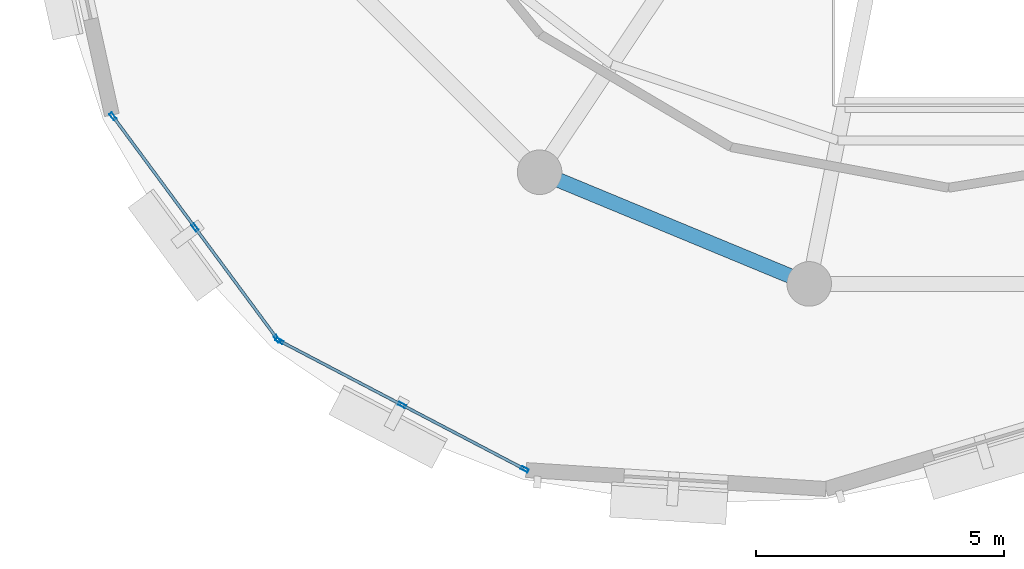
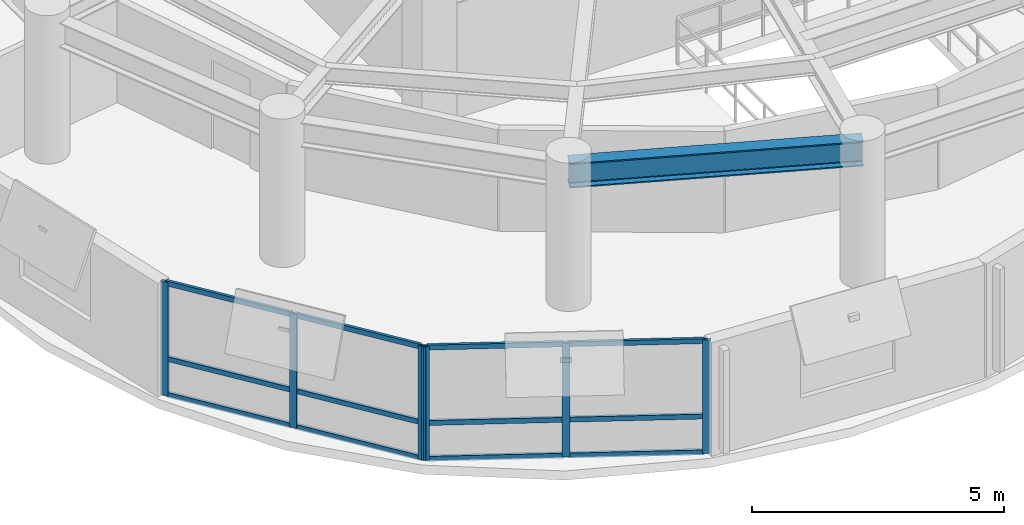
# One storey, part 2 of 11: 18 members, 1 beam, 2 elements without a shape of their own.
"""IFC4 building model written with IfcOpenShell, lengths in metres."""

from ifc_helpers import new_model, si_unit, direction, frame, origin, origin_2d, place, context, subcontext, project, spatial, hollow_rectangle, i_section, extrude, material, layer, layer_set, material_profile, profile_set, type_object, element, aggregate, save


model = new_model("IFC4")

# Units and contexts
model_context = context("Model", 3, precision=1e-05, world=origin(), true_north=direction((0.0, 1.0)))
body_context = subcontext(model_context, "Body", "Model", "MODEL_VIEW")
ifc_project = project(units=[si_unit("LENGTHUNIT", "METRE"), si_unit("AREAUNIT", "SQUARE_METRE"), si_unit("VOLUMEUNIT", "CUBIC_METRE"), si_unit("PLANEANGLEUNIT", "RADIAN"), si_unit("MASSUNIT", "GRAM", prefix="KILO"), si_unit("THERMODYNAMICTEMPERATUREUNIT", "KELVIN"), si_unit("POWERUNIT", "WATT")], contexts=[model_context])

# Site, building, storey
site_placement = place(None, origin())
site = spatial("IfcSite", under=ifc_project, at=site_placement, CompositionType="ELEMENT")
building_placement = place(site_placement, origin())
building = spatial("IfcBuilding", under=site, at=building_placement, Name="Ocrelia Relay Tower", CompositionType="ELEMENT")
storey_placement = place(building_placement, frame((0.0, 0.0, 237.60009765625)))
storey = spatial("IfcBuildingStorey", under=building, at=storey_placement, Name="L58", CompositionType="ELEMENT", Elevation=237.60009765625)

# Beam
ifc_material_1 = material(Name="Steel S355", Category="steel")
ifc_material_profile_1 = material_profile(ifc_material_1, i_section(OverallWidth=0.300048828125, OverallDepth=0.60009765625, WebThickness=0.015380859375, FlangeThickness=0.030029296875, FilletRadius=0.027099609375, at=origin_2d()), Name="HEB 600")
ifc_profile_set_1 = profile_set([ifc_material_profile_1], Name="Steel S355")
beam_type = type_object("IfcBeamType", Name="BM-HEB600", PredefinedType="BEAM", material=ifc_profile_set_1)
beam_placement = place(storey_placement, frame((25.61083984375, 13.44482421875, 3.079833984375), z_axis=(0.923884009374, -0.382672624084, 0.0), x_axis=(0.382672624084, 0.923884009374, 0.0)))
element("IfcBeam", 1, at=beam_placement, inside=storey, type_object=beam_type, Name="L58 Perimeter Spandrel Beam S11", PredefinedType="BEAM", context=body_context, shape_type="SweptSolid", body=[
    extrude(i_section(OverallWidth=0.300048828125, OverallDepth=0.60009765625, WebThickness=0.015380859375, FlangeThickness=0.030029296875, FilletRadius=0.027099609375, at=origin_2d()), origin(), (0.0, 0.0, 1.0), 5.891845703125),
])

# Curtain wall, members
ifc_material_2 = material(Name="Aluminium and solar-control low-E glass", Category="aluminium")
ifc_layer = layer(ifc_material_2, 0.179931640625, Name="Aluminium and solar-control low-E glass")
ifc_layer_set = layer_set([ifc_layer], Name="Aluminium and solar-control low-E glass")
curtain_wall_type = type_object("IfcCurtainWallType", Name="CW-SYS-Z4-EXEC", PredefinedType="NOTDEFINED", material=ifc_layer_set)
curtain_wall_1_placement = place(storey_placement, origin())
curtain_wall_1 = element("IfcCurtainWall", 2, at=curtain_wall_1_placement, inside=storey, type_object=curtain_wall_type, Name="L58 Elliptical Tower Curtain Wall Bay 09", PredefinedType="NOTDEFINED")
ifc_material_3 = material(Name="Anodised bronze aluminium", Category="aluminium")
ifc_material_profile_2 = material_profile(ifc_material_3, hollow_rectangle(XDim=0.06494140625, YDim=0.159912109375, WallThickness=0.0048828125, at=origin_2d()), Name="CW-MUL-160x65")
ifc_profile_set_2 = profile_set([ifc_material_profile_2], Name="Anodised bronze aluminium")
member_type_1 = type_object("IfcMemberType", Name="CW-SYS-Z4-EXEC-MUL", PredefinedType="MULLION", material=ifc_profile_set_2)
member_1_placement = place(storey_placement, frame((16.996337890625, 14.57421875, 0.0), z_axis=(0.0, 0.0, 1.0), x_axis=(0.804406332381, 0.594079500089, 0.0)))
member_1 = element("IfcMember", 3, at=member_1_placement, type_object=member_type_1, Name="CW-Z4 mullion 1", PredefinedType="MULLION", context=body_context, shape_type="SweptSolid", body=[
    extrude(hollow_rectangle(XDim=0.06494140625, YDim=0.159912109375, WallThickness=0.0048828125, at=origin_2d()), origin(), (0.0, 0.0, 1.0), 2.760009765625),
])
member_2_placement = place(storey_placement, frame((18.6552734375, 12.327880859375, 0.0), z_axis=(0.0, 0.0, 1.0), x_axis=(0.804406332381, 0.594079500089, 0.0)))
member_2 = element("IfcMember", 4, at=member_2_placement, type_object=member_type_1, Name="CW-Z4 mullion 2", PredefinedType="MULLION", context=body_context, shape_type="SweptSolid", body=[
    extrude(hollow_rectangle(XDim=0.06494140625, YDim=0.159912109375, WallThickness=0.0048828125, at=origin_2d()), origin(), (0.0, 0.0, 1.0), 2.760009765625),
])
member_3_placement = place(storey_placement, frame((20.314453125, 10.08154296875, 0.0), z_axis=(0.0, 0.0, 1.0), x_axis=(0.804406332381, 0.594079500089, 0.0)))
member_3 = element("IfcMember", 5, at=member_3_placement, type_object=member_type_1, Name="CW-Z4 mullion 3", PredefinedType="MULLION", context=body_context, shape_type="SweptSolid", body=[
    extrude(hollow_rectangle(XDim=0.06494140625, YDim=0.159912109375, WallThickness=0.0048828125, at=origin_2d()), origin(), (0.0, 0.0, 1.0), 2.760009765625),
])

curtain_wall_2_placement = place(storey_placement, origin())
curtain_wall_2 = element("IfcCurtainWall", 6, at=curtain_wall_2_placement, inside=storey, type_object=curtain_wall_type, Name="L58 Elliptical Tower Curtain Wall Bay 10", PredefinedType="NOTDEFINED")
member_4_placement = place(storey_placement, frame((20.362548828125, 10.040283203125, 0.0), z_axis=(0.0, 0.0, 1.0), x_axis=(0.46402485007, 0.885822182223, 0.0)))
member_4 = element("IfcMember", 7, at=member_4_placement, type_object=member_type_1, Name="CW-Z4 mullion 1", PredefinedType="MULLION", context=body_context, shape_type="SweptSolid", body=[
    extrude(hollow_rectangle(XDim=0.06494140625, YDim=0.159912109375, WallThickness=0.0048828125, at=origin_2d()), origin(), (0.0, 0.0, 1.0), 2.760009765625),
])
member_5_placement = place(storey_placement, frame((22.836181640625, 8.744384765625, 0.0), z_axis=(0.0, 0.0, 1.0), x_axis=(0.46402485007, 0.885822182223, 0.0)))
member_5 = element("IfcMember", 8, at=member_5_placement, type_object=member_type_1, Name="CW-Z4 mullion 2", PredefinedType="MULLION", context=body_context, shape_type="SweptSolid", body=[
    extrude(hollow_rectangle(XDim=0.06494140625, YDim=0.159912109375, WallThickness=0.0048828125, at=origin_2d()), origin(), (0.0, 0.0, 1.0), 2.760009765625),
])
member_6_placement = place(storey_placement, frame((25.31005859375, 7.448486328125, 0.0), z_axis=(0.0, 0.0, 1.0), x_axis=(0.46402485007, 0.885822182223, 0.0)))
member_6 = element("IfcMember", 9, at=member_6_placement, type_object=member_type_1, Name="CW-Z4 mullion 3", PredefinedType="MULLION", context=body_context, shape_type="SweptSolid", body=[
    extrude(hollow_rectangle(XDim=0.06494140625, YDim=0.159912109375, WallThickness=0.0048828125, at=origin_2d()), origin(), (0.0, 0.0, 1.0), 2.760009765625),
])

# Member
ifc_material_profile_3 = material_profile(ifc_material_3, hollow_rectangle(XDim=0.06005859375, YDim=0.1201171875, WallThickness=0.0048828125, at=origin_2d()), Name="CW-TRN-120x60")
ifc_profile_set_3 = profile_set([ifc_material_profile_3], Name="Anodised bronze aluminium")
member_type_2 = type_object("IfcMemberType", Name="CW-SYS-Z4-EXEC-TRN", PredefinedType="USERDEFINED", material=ifc_profile_set_3)
member_7_placement = place(storey_placement, frame((17.015625, 14.548095703125, 0.02978515625), z_axis=(0.594068869813, -0.804414183067, 0.0), x_axis=(0.804414183067, 0.594068869813, 0.0)))
member_7 = element("IfcMember", 10, at=member_7_placement, type_object=member_type_2, Name="CW-Z4 transom 1.1", ObjectType="TRANSOM", PredefinedType="USERDEFINED", context=body_context, shape_type="SweptSolid", body=[
    extrude(hollow_rectangle(XDim=0.06005859375, YDim=0.1201171875, WallThickness=0.0048828125, at=origin_2d()), origin(), (0.0, 0.0, 1.0), 2.7275390625),
])

member_8_placement = place(storey_placement, frame((17.015625, 14.548095703125, 0.89990234375), z_axis=(0.594068869813, -0.804414183067, 0.0), x_axis=(0.804414183067, 0.594068869813, 0.0)))
member_8 = element("IfcMember", 11, at=member_8_placement, type_object=member_type_2, Name="CW-Z4 transom 1.2", ObjectType="TRANSOM", PredefinedType="USERDEFINED", context=body_context, shape_type="SweptSolid", body=[
    extrude(hollow_rectangle(XDim=0.06005859375, YDim=0.1201171875, WallThickness=0.0048828125, at=origin_2d()), origin(), (0.0, 0.0, 1.0), 2.7275390625),
])

member_9_placement = place(storey_placement, frame((17.015625, 14.548095703125, 2.72998046875), z_axis=(0.594068869813, -0.804414183067, 0.0), x_axis=(0.804414183067, 0.594068869813, 0.0)))
member_9 = element("IfcMember", 12, at=member_9_placement, type_object=member_type_2, Name="CW-Z4 transom 1.3", ObjectType="TRANSOM", PredefinedType="USERDEFINED", context=body_context, shape_type="SweptSolid", body=[
    extrude(hollow_rectangle(XDim=0.06005859375, YDim=0.1201171875, WallThickness=0.0048828125, at=origin_2d()), origin(), (0.0, 0.0, 1.0), 2.7275390625),
])

member_10_placement = place(storey_placement, frame((18.674560546875, 12.3017578125, 0.02978515625), z_axis=(0.594126784642, -0.804371409096, 0.0), x_axis=(0.804371409096, 0.594126784642, 0.0)))
member_10 = element("IfcMember", 13, at=member_10_placement, type_object=member_type_2, Name="CW-Z4 transom 2.1", ObjectType="TRANSOM", PredefinedType="USERDEFINED", context=body_context, shape_type="SweptSolid", body=[
    extrude(hollow_rectangle(XDim=0.06005859375, YDim=0.1201171875, WallThickness=0.0048828125, at=origin_2d()), origin(), (0.0, 0.0, 1.0), 2.727783203125),
])

member_11_placement = place(storey_placement, frame((18.674560546875, 12.3017578125, 0.89990234375), z_axis=(0.594126784642, -0.804371409096, 0.0), x_axis=(0.804371409096, 0.594126784642, 0.0)))
member_11 = element("IfcMember", 14, at=member_11_placement, type_object=member_type_2, Name="CW-Z4 transom 2.2", ObjectType="TRANSOM", PredefinedType="USERDEFINED", context=body_context, shape_type="SweptSolid", body=[
    extrude(hollow_rectangle(XDim=0.06005859375, YDim=0.1201171875, WallThickness=0.0048828125, at=origin_2d()), origin(), (0.0, 0.0, 1.0), 2.727783203125),
])

member_12_placement = place(storey_placement, frame((18.674560546875, 12.3017578125, 2.72998046875), z_axis=(0.594126784642, -0.804371409096, 0.0), x_axis=(0.804371409096, 0.594126784642, 0.0)))
member_12 = element("IfcMember", 15, at=member_12_placement, type_object=member_type_2, Name="CW-Z4 transom 2.3", ObjectType="TRANSOM", PredefinedType="USERDEFINED", context=body_context, shape_type="SweptSolid", body=[
    extrude(hollow_rectangle(XDim=0.06005859375, YDim=0.1201171875, WallThickness=0.0048828125, at=origin_2d()), origin(), (0.0, 0.0, 1.0), 2.727783203125),
])

aggregate(curtain_wall_1, [member_1, member_2, member_3, member_7, member_8, member_9, member_10, member_11, member_12])

member_13_placement = place(storey_placement, frame((20.391357421875, 10.025146484375, 0.02978515625), z_axis=(0.885836790889, -0.463996961096, 0.0), x_axis=(0.463996961096, 0.885836790889, 0.0)))
member_13 = element("IfcMember", 16, at=member_13_placement, type_object=member_type_2, Name="CW-Z4 transom 1.1", ObjectType="TRANSOM", PredefinedType="USERDEFINED", context=body_context, shape_type="SweptSolid", body=[
    extrude(hollow_rectangle(XDim=0.06005859375, YDim=0.1201171875, WallThickness=0.0048828125, at=origin_2d()), origin(), (0.0, 0.0, 1.0), 2.7275390625),
])

member_14_placement = place(storey_placement, frame((20.391357421875, 10.025146484375, 0.89990234375), z_axis=(0.885836790889, -0.463996961096, 0.0), x_axis=(0.463996961096, 0.885836790889, 0.0)))
member_14 = element("IfcMember", 17, at=member_14_placement, type_object=member_type_2, Name="CW-Z4 transom 1.2", ObjectType="TRANSOM", PredefinedType="USERDEFINED", context=body_context, shape_type="SweptSolid", body=[
    extrude(hollow_rectangle(XDim=0.06005859375, YDim=0.1201171875, WallThickness=0.0048828125, at=origin_2d()), origin(), (0.0, 0.0, 1.0), 2.7275390625),
])

member_15_placement = place(storey_placement, frame((20.391357421875, 10.025146484375, 2.72998046875), z_axis=(0.885836790889, -0.463996961096, 0.0), x_axis=(0.463996961096, 0.885836790889, 0.0)))
member_15 = element("IfcMember", 18, at=member_15_placement, type_object=member_type_2, Name="CW-Z4 transom 1.3", ObjectType="TRANSOM", PredefinedType="USERDEFINED", context=body_context, shape_type="SweptSolid", body=[
    extrude(hollow_rectangle(XDim=0.06005859375, YDim=0.1201171875, WallThickness=0.0048828125, at=origin_2d()), origin(), (0.0, 0.0, 1.0), 2.7275390625),
])

member_16_placement = place(storey_placement, frame((22.864990234375, 8.729248046875, 0.02978515625), z_axis=(0.885836790889, -0.463996961096, 0.0), x_axis=(0.463996961096, 0.885836790889, 0.0)))
member_16 = element("IfcMember", 19, at=member_16_placement, type_object=member_type_2, Name="CW-Z4 transom 2.1", ObjectType="TRANSOM", PredefinedType="USERDEFINED", context=body_context, shape_type="SweptSolid", body=[
    extrude(hollow_rectangle(XDim=0.06005859375, YDim=0.1201171875, WallThickness=0.0048828125, at=origin_2d()), origin(), (0.0, 0.0, 1.0), 2.7275390625),
])

member_17_placement = place(storey_placement, frame((22.864990234375, 8.729248046875, 0.89990234375), z_axis=(0.885836790889, -0.463996961096, 0.0), x_axis=(0.463996961096, 0.885836790889, 0.0)))
member_17 = element("IfcMember", 20, at=member_17_placement, type_object=member_type_2, Name="CW-Z4 transom 2.2", ObjectType="TRANSOM", PredefinedType="USERDEFINED", context=body_context, shape_type="SweptSolid", body=[
    extrude(hollow_rectangle(XDim=0.06005859375, YDim=0.1201171875, WallThickness=0.0048828125, at=origin_2d()), origin(), (0.0, 0.0, 1.0), 2.7275390625),
])

member_18_placement = place(storey_placement, frame((22.864990234375, 8.729248046875, 2.72998046875), z_axis=(0.885836790889, -0.463996961096, 0.0), x_axis=(0.463996961096, 0.885836790889, 0.0)))
member_18 = element("IfcMember", 21, at=member_18_placement, type_object=member_type_2, Name="CW-Z4 transom 2.3", ObjectType="TRANSOM", PredefinedType="USERDEFINED", context=body_context, shape_type="SweptSolid", body=[
    extrude(hollow_rectangle(XDim=0.06005859375, YDim=0.1201171875, WallThickness=0.0048828125, at=origin_2d()), origin(), (0.0, 0.0, 1.0), 2.7275390625),
])

aggregate(curtain_wall_2, [member_4, member_5, member_6, member_13, member_14, member_15, member_16, member_17, member_18])

save(model, "model.ifc")
